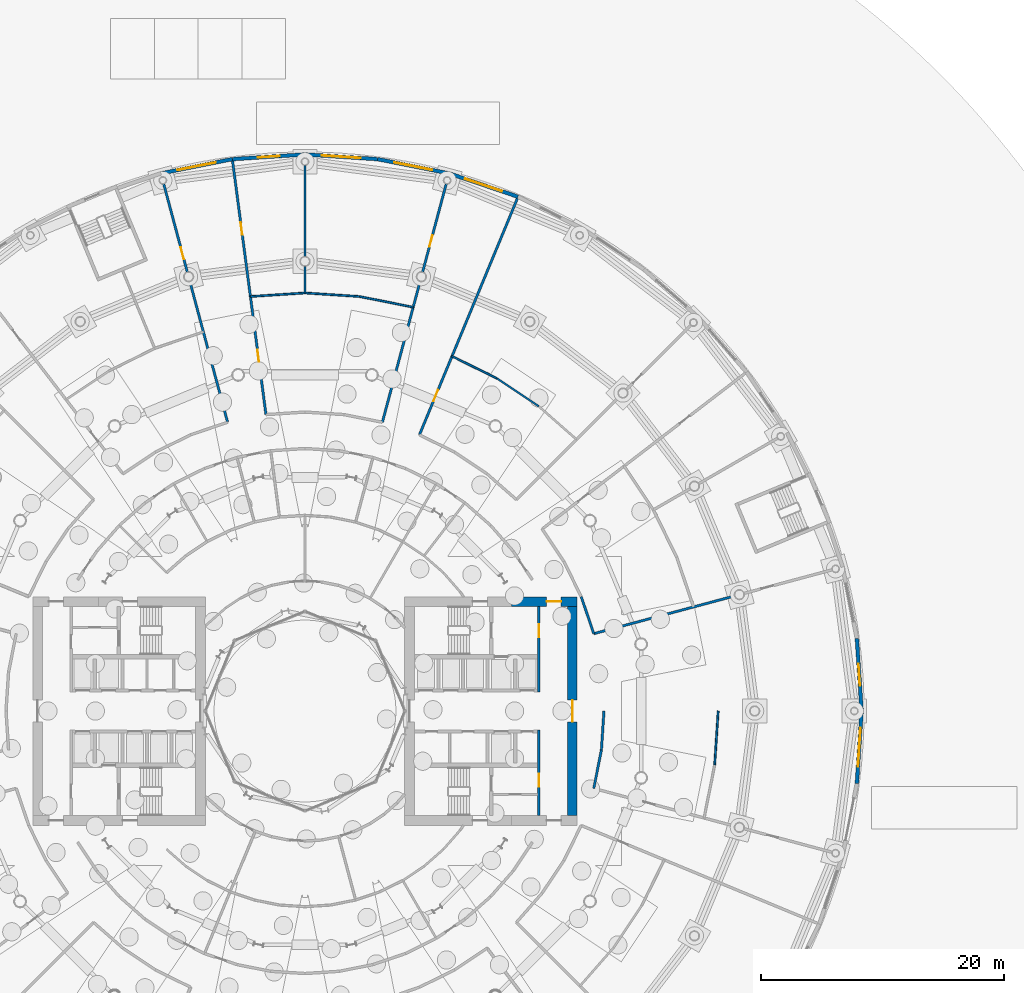
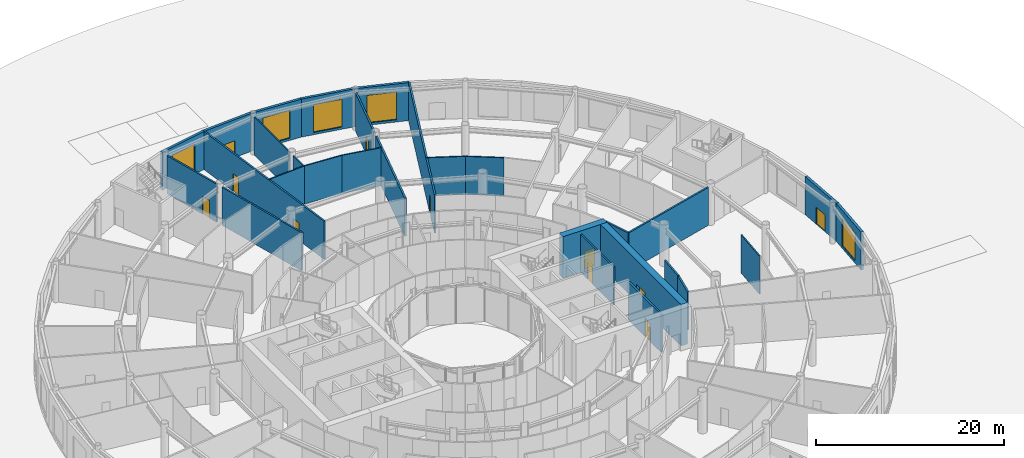
# One storey, part 26 of 41: 29 walls, 11 doors, 5 windows, 16 openings.
"""IFC4 building model written with IfcOpenShell, lengths in metres."""

import ifcopenshell
import ifcopenshell.guid

model = None  # the IFC model being written
_history = None  # IfcOwnerHistory: only IFC2X3 demands one
_inside = {}  # id of a spatial element -> (the spatial element, [elements in it])
_under = {}  # id of a project, library or spatial element -> (it, [spatial elements below it])
_declared = {}  # id of a project -> (the project, [libraries it declares])
_typed = {}  # id of a type object -> (the type object, [elements of that type])
_made_of = {}  # id of a material, layer set ... -> (it, [elements and type objects made of it])


def new_model(schema):
    """Start an empty IFC model of exactly this schema.

    Asked for "IFC4X3", IfcOpenShell would pick the latest addendum, in which some entities
    have other attributes; the version numbers below select the first issue.
    IFC2X3 requires an IfcOwnerHistory on every rooted entity: one is made here for all.
    """
    global model, _history
    if schema == "IFC4X3":
        model = ifcopenshell.file(schema_version=(4, 3, 0, 0))
    else:
        model = ifcopenshell.file(schema=schema)
    _inside.clear()
    _under.clear()
    _declared.clear()
    _typed.clear()
    _made_of.clear()
    _history = None
    if model.schema == "IFC2X3":
        org = make("IfcOrganization", Name="unknown")
        user = make(
            "IfcPersonAndOrganization",
            ThePerson=make("IfcPerson", FamilyName="unknown"),
            TheOrganization=org,
        )
        app = make(
            "IfcApplication",
            ApplicationDeveloper=org,
            Version="unknown",
            ApplicationFullName="unknown",
            ApplicationIdentifier="unknown",
        )
        _history = make(
            "IfcOwnerHistory",
            OwningUser=user,
            OwningApplication=app,
            ChangeAction="ADDED",
            CreationDate=0,
        )
    return model


def make(cls, **values):
    """One entity of the class cls with the attributes given. An attribute that is None is left unset."""
    return model.create_entity(
        cls, **{name: value for name, value in values.items() if value is not None}
    )


def rooted(cls, **values):
    """An entity with a GlobalId (a new one), such as an element, a storey or a relation."""
    return make(cls, GlobalId=ifcopenshell.guid.new(), OwnerHistory=_history, **values)


def si_unit(unit_type, name, prefix=None):
    """IfcSIUnit, for example si_unit("LENGTHUNIT", "METRE", prefix="MILLI")."""
    return make("IfcSIUnit", UnitType=unit_type, Prefix=prefix, Name=name)


def assignment(units):
    """IfcUnitAssignment: the units of a project."""
    return None if units is None else make("IfcUnitAssignment", Units=units)


def point(xyz):
    """IfcCartesianPoint."""
    return None if xyz is None else make("IfcCartesianPoint", Coordinates=xyz)


def direction(xyz):
    """IfcDirection."""
    return None if xyz is None else make("IfcDirection", DirectionRatios=xyz)


def frame(location, z_axis=None, x_axis=None):
    """IfcAxis2Placement3D, a coordinate frame: its origin and axes. An axis left out is left unset."""
    return make(
        "IfcAxis2Placement3D",
        Location=point(location),
        Axis=direction(z_axis),
        RefDirection=direction(x_axis),
    )


def frame_2d(location, x_axis=None):
    """IfcAxis2Placement2D, a coordinate frame in the plane: its origin and x axis."""
    return make(
        "IfcAxis2Placement2D", Location=point(location), RefDirection=direction(x_axis)
    )


def origin():
    """The frame at (0, 0, 0) with its axes left unset."""
    return frame((0.0, 0.0, 0.0))


def place(relative_to, where):
    """IfcLocalPlacement: puts the frame where relative to a parent placement (None: the world)."""
    return make(
        "IfcLocalPlacement", PlacementRelTo=relative_to, RelativePlacement=where
    )


def context(
    kind, dimensions, precision=None, world=None, true_north=None, identifier=None
):
    """IfcGeometricRepresentationContext, for example the 3D "Model" context."""
    return make(
        "IfcGeometricRepresentationContext",
        ContextIdentifier=identifier,
        ContextType=kind,
        CoordinateSpaceDimension=dimensions,
        Precision=precision,
        WorldCoordinateSystem=world,
        TrueNorth=true_north,
    )


def subcontext(parent, identifier, kind, view, scale=None):
    """IfcGeometricRepresentationSubContext, for example "Body" below "Model"."""
    return make(
        "IfcGeometricRepresentationSubContext",
        ContextIdentifier=identifier,
        ContextType=kind,
        ParentContext=parent,
        TargetScale=scale,
        TargetView=view,
    )


def project(units=None, contexts=None):
    """IfcProject with its units and contexts."""
    return rooted(
        "IfcProject",
        Name="project",
        RepresentationContexts=contexts,
        UnitsInContext=assignment(units),
    )


def spatial(cls, under=None, at=None, **own):
    """A site, building, storey or space (cls), placed at a placement, below another one or the project."""
    s = rooted(cls, ObjectPlacement=at, **own)
    if under is not None:
        _under.setdefault(under.id(), (under, []))[1].append(s)
    return s


def profile(cls, at=None, kind="AREA", **sizes):
    """A parametric profile (cls). Its sizes go by their IFC names, for example OverallWidth=200.0."""
    return make(cls, ProfileType=kind, Position=at, **sizes)


def rectangle(**sizes):
    """IfcRectangleProfileDef."""
    return profile("IfcRectangleProfileDef", **sizes)


def extrude(swept, where, along, depth):
    """IfcExtrudedAreaSolid: the profile swept, set in the frame where, extruded along a direction by depth."""
    return make(
        "IfcExtrudedAreaSolid",
        SweptArea=swept,
        Position=where,
        ExtrudedDirection=direction(along),
        Depth=depth,
    )


def shape(context_of_items, identifier, shape_type, items):
    """IfcShapeRepresentation: the items that make up one representation, for example the "Body"."""
    return make(
        "IfcShapeRepresentation",
        ContextOfItems=context_of_items,
        RepresentationIdentifier=identifier,
        RepresentationType=shape_type,
        Items=items,
    )


def material(Name=None, Category=None):
    """IfcMaterial."""
    return make("IfcMaterial", Name=Name, Category=Category)


def layer(
    of_material, thickness, ventilated=None, Name=None, Category=None, Priority=None
):
    """IfcMaterialLayer: one layer of a wall or slab, of a material (None: an air gap)."""
    return make(
        "IfcMaterialLayer",
        Material=of_material,
        LayerThickness=thickness,
        IsVentilated=ventilated,
        Name=Name,
        Category=Category,
        Priority=Priority,
    )


def layer_set(layers, Name=None):
    """IfcMaterialLayerSet."""
    return make("IfcMaterialLayerSet", MaterialLayers=layers, LayerSetName=Name)


def made_of(thing, what):
    """Note that an element or type object is made of a material, layer set ...; save() writes the relation."""
    if what is not None:
        _made_of.setdefault(what.id(), (what, []))[1].append(thing)
    return thing


def type_object(cls, material=None, **own):
    """A type object (cls), such as IfcWallType, which elements share."""
    return made_of(rooted(cls, **own), material)


def element(
    cls,
    number,
    at=None,
    inside=None,
    cuts=None,
    type_object=None,
    material=None,
    context=None,
    identifier="Body",
    shape_type=None,
    held_by="IfcProductDefinitionShape",
    body=None,
    shapes=None,
    **own,
):
    """One element of the class cls, such as IfcWall. Its Tag is "e" and its number.

    at: its placement. inside: the storey or other place that contains it. cuts: it is an
    opening in that element (IfcRelVoidsElement). A single representation is given by context,
    identifier, shape_type and body (its items); several are given by shapes. held_by: the class
    of the entity that holds the representations. save() writes the other relations.
    """
    e = rooted(cls, Tag="e%d" % number, ObjectPlacement=at, **own)
    if body is not None:
        shapes = [shape(context, identifier, shape_type, body)]
    if shapes is not None:
        e.Representation = make(held_by, Representations=shapes)
    if inside is not None:
        _inside.setdefault(inside.id(), (inside, []))[1].append(e)
    if cuts is not None:
        rooted(
            "IfcRelVoidsElement", RelatingBuildingElement=cuts, RelatedOpeningElement=e
        )
    if type_object is not None:
        _typed.setdefault(type_object.id(), (type_object, []))[1].append(e)
    return made_of(e, material)


def fill(opening, filler):
    """IfcRelFillsElement: the door or window that sits in an opening."""
    return rooted(
        "IfcRelFillsElement",
        RelatingOpeningElement=opening,
        RelatedBuildingElement=filler,
    )


def aggregate(whole, parts):
    """IfcRelAggregates: a whole, such as a stair, and the parts it consists of."""
    return rooted("IfcRelAggregates", RelatingObject=whole, RelatedObjects=parts)


def save(model, path):
    """Write the relations noted so far, then the file.

    IfcRelAggregates (storeys below a building ...), IfcRelContainedInSpatialStructure (elements
    in a storey), IfcRelDefinesByType, IfcRelAssociatesMaterial and IfcRelDeclares: one each for
    every whole, place, type object, material and project.
    """
    for whole, parts in _under.values():
        aggregate(whole, parts)
    for where, things in _inside.values():
        rooted(
            "IfcRelContainedInSpatialStructure",
            RelatedElements=things,
            RelatingStructure=where,
        )
    for kind, things in _typed.values():
        rooted("IfcRelDefinesByType", RelatedObjects=things, RelatingType=kind)
    for what, things in _made_of.values():
        rooted("IfcRelAssociatesMaterial", RelatedObjects=things, RelatingMaterial=what)
    for by, libraries in _declared.values():
        rooted("IfcRelDeclares", RelatingContext=by, RelatedDefinitions=libraries)
    model.write(path)


model = new_model("IFC4")

# Units and contexts
model_context = context("Model", 3, precision=1e-05, world=origin(), true_north=direction((0.0, 1.0)))
body_context = subcontext(model_context, "Body", "Model", "MODEL_VIEW")
ifc_project = project(units=[si_unit("LENGTHUNIT", "METRE"), si_unit("AREAUNIT", "SQUARE_METRE"), si_unit("VOLUMEUNIT", "CUBIC_METRE"), si_unit("PLANEANGLEUNIT", "RADIAN"), si_unit("MASSUNIT", "GRAM", prefix="KILO")], contexts=[model_context])

# Site, building, storey
site_placement = place(None, origin())
site = spatial("IfcSite", under=ifc_project, at=site_placement, CompositionType="ELEMENT")
building_placement = place(site_placement, origin())
building = spatial("IfcBuilding", under=site, at=building_placement, Name="Maasbend Ring Residences", CompositionType="ELEMENT")
storey_placement = place(building_placement, origin())
storey = spatial("IfcBuildingStorey", under=building, at=storey_placement, Name="L00", CompositionType="ELEMENT", Elevation=0.0)

# Walls
ifc_material_1 = material(Name="Concrete C30/37", Category="concrete")
ifc_layer_1 = layer(ifc_material_1, 0.199951171875)
ifc_layer_set_1 = layer_set([ifc_layer_1], Name="Concrete C30/37")
wall_type_1 = type_object("IfcWallType", Name="COMPARTMENT WALL 200 CONCRETE", PredefinedType="PARTITIONING", material=ifc_layer_set_1)
wall_1_placement = place(storey_placement, frame((23.762939453125, 6.364990234375, 0.0), z_axis=(0.0, 0.0, 1.0), x_axis=(0.965943238878, 0.258754051689, 0.0)))
element("IfcWall", 1, at=wall_1_placement, inside=storey, type_object=wall_type_1, Name="U-L00-w127", PredefinedType="PARTITIONING", context=body_context, shape_type="SweptSolid", body=[
    extrude(rectangle(XDim=11.999755859375, YDim=0.199951171875, at=frame_2d((6.0, 0.0))), origin(), (0.0, 0.0, 1.0), 4.949951171875),
])
wall_2_placement = place(storey_placement, frame((22.72705078125, 9.4140625, 0.0), z_axis=(0.0, 0.0, 1.0), x_axis=(0.321593976879, -0.946877665823, 0.0)))
element("IfcWall", 2, at=wall_2_placement, inside=storey, type_object=wall_type_1, Name="U-L00-w194", PredefinedType="PARTITIONING", context=body_context, shape_type="SweptSolid", body=[
    extrude(rectangle(XDim=3.218017578125, YDim=0.199951171875, at=frame_2d((1.60888671875, 0.0))), origin(), (0.0, 0.0, 1.0), 4.949951171875),
])

# Wall, opening, door
ifc_material_2 = material(Name="Concrete C70/85", Category="concrete")
ifc_layer_2 = layer(ifc_material_2, 0.800048828125)
ifc_layer_set_2 = layer_set([ifc_layer_2], Name="Concrete C70/85")
wall_type_2 = type_object("IfcWallType", Name="CORE WALL 800 C70/85", PredefinedType="SHEAR", material=ifc_layer_set_2)
wall_3_placement = place(storey_placement, frame((22.0, 8.60009765625, 0.0), z_axis=(0.0, 0.0, 1.0), x_axis=(0.0, -1.0, 0.0)))
wall_3 = element("IfcWall", 3, at=wall_3_placement, inside=storey, type_object=wall_type_2, Name="L00 core E wall POUT", PredefinedType="SHEAR", context=body_context, shape_type="SweptSolid", body=[
    extrude(rectangle(XDim=17.2001953125, YDim=0.800048828125, at=frame_2d((8.60009765625, 0.0))), origin(), (0.0, 0.0, 1.0), 5.39990234375),
])
opening_1_placement = place(wall_3_placement, frame((7.699951171875, 0.0, 0.0)))
opening_1 = element("IfcOpeningElement", 4, at=opening_1_placement, cuts=wall_3, Name="Opening D-E0018", PredefinedType="OPENING", context=body_context, shape_type="SweptSolid", body=[
    extrude(rectangle(XDim=1.800048828125, YDim=2.300048828125, at=frame_2d((0.89990234375, 1.14990234375))), frame((0.0, 0.41015625, 0.0), z_axis=(0.0, -1.0, 0.0), x_axis=(1.0, 0.0, 0.0)), (0.0, 0.0, 1.0), 0.820068359375),
])
ifc_material_3 = material(Name="Aluminium frame, clear glass", Category="aluminium")
door_type_1 = type_object("IfcDoorType", Name="ENTRANCE DOOR 1800 X 2300 FD60", OperationType="NOTDEFINED", PredefinedType="DOOR", material=ifc_material_3)
door_1_placement = place(opening_1_placement, origin())
door_1 = element("IfcDoor", 5, at=door_1_placement, inside=storey, type_object=door_type_1, Name="Lobby glazed door L00", OperationType="SINGLE_SWING_LEFT", OverallHeight=2.300048828125, OverallWidth=1.800048828125, PredefinedType="DOOR", context=body_context, shape_type="SweptSolid", body=[
    extrude(rectangle(XDim=1.800048828125, YDim=2.300048828125, at=frame_2d((0.89990234375, 1.14990234375))), frame((0.0, 0.02490234375, 0.0), z_axis=(0.0, -1.0, 0.0), x_axis=(1.0, 0.0, 0.0)), (0.0, 0.0, 1.0), 0.050048828125),
])
fill(opening_1, door_1)

wall_4_placement = place(storey_placement, frame((22.39990234375, 9.0, 0.0), z_axis=(0.0, 0.0, 1.0), x_axis=(-1.0, 0.0, 0.0)))
wall_4 = element("IfcWall", 6, at=wall_4_placement, inside=storey, type_object=wall_type_2, Name="L00 core E wall PNB", PredefinedType="SHEAR", context=body_context, shape_type="SweptSolid", body=[
    extrude(rectangle(XDim=5.39990234375, YDim=0.800048828125, at=frame_2d((2.699951171875, 0.0))), origin(), (0.0, 0.0, 1.0), 5.39990234375),
])
opening_2_placement = place(wall_4_placement, frame((1.324951171875, 0.0, 0.0)))
opening_2 = element("IfcOpeningElement", 7, at=opening_2_placement, cuts=wall_4, Name="Opening D-E0015", PredefinedType="OPENING", context=body_context, shape_type="SweptSolid", body=[
    extrude(rectangle(XDim=1.199951171875, YDim=2.300048828125, at=frame_2d((0.60009765625, 1.14990234375))), frame((0.0, 0.41015625, 0.0), z_axis=(0.0, -1.0, 0.0), x_axis=(1.0, 0.0, 0.0)), (0.0, 0.0, 1.0), 0.820068359375),
])
ifc_material_4 = material(Name="Steel, powder coated", Category="steel")
door_type_2 = type_object("IfcDoorType", Name="CORRIDOR DOOR 1200 X 2300 FD30S", OperationType="NOTDEFINED", PredefinedType="DOOR", material=ifc_material_4)
door_2_placement = place(opening_2_placement, origin())
door_2 = element("IfcDoor", 8, at=door_2_placement, inside=storey, type_object=door_type_2, Name="Corridor door L00", OperationType="SINGLE_SWING_RIGHT", OverallHeight=2.300048828125, OverallWidth=1.199951171875, PredefinedType="DOOR", context=body_context, shape_type="SweptSolid", body=[
    extrude(rectangle(XDim=1.199951171875, YDim=2.300048828125, at=frame_2d((0.60009765625, 1.14990234375))), frame((0.0, 0.02490234375, 0.0), z_axis=(0.0, -1.0, 0.0), x_axis=(1.0, 0.0, 0.0)), (0.0, 0.0, 1.0), 0.050048828125),
])
fill(opening_2, door_2)

# Walls
ifc_material_5 = material(Name="Concrete C30/37", Category="concrete")
ifc_layer_3 = layer(ifc_material_5, 0.199951171875)
ifc_layer_set_3 = layer_set([ifc_layer_3], Name="Concrete C30/37")
wall_type_3 = type_object("IfcWallType", Name="CORRIDOR WALL 200 CONCRETE", PredefinedType="PARTITIONING", material=ifc_layer_set_3)
for number, where, z_axis, x_axis, name in (
    (9, (23.761962890625, -6.366943359375, 0.0), (0.0, 0.0, 1.0), (0.195138477717, 0.98077570041, 0.0), "U-L00-w035"),
    (10, (24.389892578125, -3.2109375, 0.0), (0.0, 0.0, 1.0), (0.06532549509, 0.997864008616, 0.0), "U-L00-w036"),
):
    element("IfcWall", number, at=place(storey_placement, frame(where, z_axis=z_axis, x_axis=x_axis)), inside=storey, type_object=wall_type_3, Name=name, PredefinedType="PARTITIONING", context=body_context, shape_type="SweptSolid", body=[
        extrude(rectangle(XDim=3.2177734375, YDim=0.199951171875, at=frame_2d((1.60888671875, 0.0))), origin(), (0.0, 0.0, 1.0), 4.949951171875),
    ])

# Wall, opening, door
wall_5_placement = place(storey_placement, frame((-11.6240234375, 43.3701171875, 0.0), z_axis=(0.0, 0.0, 1.0), x_axis=(0.258768624905, -0.96593933493, 0.0)))
wall_5 = element("IfcWall", 11, at=wall_5_placement, inside=storey, type_object=wall_type_3, Name="U-L00-w098", PredefinedType="PARTITIONING", context=body_context, shape_type="SweptSolid", body=[
    extrude(rectangle(XDim=7.50048828125, YDim=0.199951171875, at=frame_2d((3.750244140625, 0.0))), origin(), (0.0, 0.0, 1.0), 4.949951171875),
])
opening_3_placement = place(wall_5_placement, frame((5.406982421875, 0.0, 0.0)))
opening_3 = element("IfcOpeningElement", 12, at=opening_3_placement, cuts=wall_5, Name="Opening D-0027", PredefinedType="OPENING", context=body_context, shape_type="SweptSolid", body=[
    extrude(rectangle(XDim=1.0, YDim=2.300048828125, at=frame_2d((0.5, 1.14990234375))), frame((0.0, 0.10986328125, 0.0), z_axis=(0.0, -1.0, 0.0), x_axis=(1.0, 0.0, 0.0)), (0.0, 0.0, 1.0), 0.219970703125),
])
ifc_material_6 = material(Name="Timber, painted", Category="wood")
door_type_3 = type_object("IfcDoorType", Name="ROOM DOOR 1000 X 2300", OperationType="NOTDEFINED", PredefinedType="DOOR", material=ifc_material_6)
door_3_placement = place(opening_3_placement, origin())
door_3 = element("IfcDoor", 13, at=door_3_placement, inside=storey, type_object=door_type_3, Name="D-0027", OperationType="SINGLE_SWING_RIGHT", OverallHeight=2.300048828125, OverallWidth=1.0, PredefinedType="DOOR", context=body_context, shape_type="SweptSolid", body=[
    extrude(rectangle(XDim=1.0, YDim=2.300048828125, at=frame_2d((0.5, 1.14990234375))), frame((0.0, 0.02490234375, 0.0), z_axis=(0.0, -1.0, 0.0), x_axis=(1.0, 0.0, 0.0)), (0.0, 0.0, 1.0), 0.050048828125),
])
fill(opening_3, door_3)

# Wall
wall_6_placement = place(storey_placement, frame((-9.47607421875, 35.35302734375, 0.0), z_axis=(0.0, 0.0, 1.0), x_axis=(0.258904538468, -0.965902914356, 0.0)))
element("IfcWall", 14, at=wall_6_placement, inside=storey, type_object=wall_type_3, Name="U-L00-w101", PredefinedType="PARTITIONING", context=body_context, shape_type="SweptSolid", body=[
    extrude(rectangle(XDim=12.001220703125, YDim=0.199951171875, at=frame_2d((6.00048828125, 0.0))), origin(), (0.0, 0.0, 1.0), 4.949951171875),
])

# Wall, openings, doors
wall_7_placement = place(storey_placement, frame((-5.962890625, 45.297119140625, 0.0), z_axis=(0.0, 0.0, 1.0), x_axis=(0.130501232125, -0.991448147113, 0.0)))
wall_7 = element("IfcWall", 15, at=wall_7_placement, inside=storey, type_object=wall_type_3, Name="U-L00-w104", PredefinedType="PARTITIONING", context=body_context, shape_type="SweptSolid", body=[
    extrude(rectangle(XDim=21.087646484375, YDim=0.199951171875, at=frame_2d((10.5439453125, 0.0))), origin(), (0.0, 0.0, 1.0), 4.949951171875),
])
opening_4_placement = place(wall_7_placement, frame((15.68701171875, 0.0, 0.0)))
opening_4 = element("IfcOpeningElement", 16, at=opening_4_placement, cuts=wall_7, Name="Opening D-0023", PredefinedType="OPENING", context=body_context, shape_type="SweptSolid", body=[
    extrude(rectangle(XDim=1.0, YDim=2.300048828125, at=frame_2d((0.5, 1.14990234375))), frame((0.0, 0.10986328125, 0.0), z_axis=(0.0, -1.0, 0.0), x_axis=(1.0, 0.0, 0.0)), (0.0, 0.0, 1.0), 0.219970703125),
])
opening_5_placement = place(wall_7_placement, frame((5.14404296875, 0.0, 0.0)))
opening_5 = element("IfcOpeningElement", 17, at=opening_5_placement, cuts=wall_7, Name="Opening D-0025", PredefinedType="OPENING", context=body_context, shape_type="SweptSolid", body=[
    extrude(rectangle(XDim=1.0, YDim=2.300048828125, at=frame_2d((0.5, 1.14990234375))), frame((0.0, 0.10986328125, 0.0), z_axis=(0.0, -1.0, 0.0), x_axis=(1.0, 0.0, 0.0)), (0.0, 0.0, 1.0), 0.219970703125),
])
door_4_placement = place(opening_4_placement, origin())
door_4 = element("IfcDoor", 18, at=door_4_placement, inside=storey, type_object=door_type_3, Name="D-0023", OperationType="SINGLE_SWING_RIGHT", OverallHeight=2.300048828125, OverallWidth=1.0, PredefinedType="DOOR", context=body_context, shape_type="SweptSolid", body=[
    extrude(rectangle(XDim=1.0, YDim=2.300048828125, at=frame_2d((0.5, 1.14990234375))), frame((0.0, 0.02490234375, 0.0), z_axis=(0.0, -1.0, 0.0), x_axis=(1.0, 0.0, 0.0)), (0.0, 0.0, 1.0), 0.050048828125),
])
fill(opening_4, door_4)
door_5_placement = place(opening_5_placement, origin())
door_5 = element("IfcDoor", 19, at=door_5_placement, inside=storey, type_object=door_type_3, Name="D-0025", OperationType="SINGLE_SWING_LEFT", OverallHeight=2.300048828125, OverallWidth=1.0, PredefinedType="DOOR", context=body_context, shape_type="SweptSolid", body=[
    extrude(rectangle(XDim=1.0, YDim=2.300048828125, at=frame_2d((0.5, 1.14990234375))), frame((0.0, 0.02490234375, 0.0), z_axis=(0.0, -1.0, 0.0), x_axis=(1.0, 0.0, 0.0)), (0.0, 0.0, 1.0), 0.050048828125),
])
fill(opening_5, door_5)

# Wall
wall_8_placement = place(storey_placement, frame((6.366943359375, 23.761962890625, 0.0), z_axis=(0.0, 0.0, 1.0), x_axis=(0.258829982463, 0.965922895566, 0.0)))
element("IfcWall", 20, at=wall_8_placement, inside=storey, type_object=wall_type_3, Name="U-L00-w115", PredefinedType="PARTITIONING", context=body_context, shape_type="SweptSolid", body=[
    extrude(rectangle(XDim=12.0, YDim=0.199951171875, at=frame_2d((6.0, 0.0))), origin(), (0.0, 0.0, 1.0), 4.949951171875),
])

# Wall, opening, door
wall_9_placement = place(storey_placement, frame((9.41796875, 22.72607421875, 0.0), z_axis=(0.0, 0.0, 1.0), x_axis=(0.382752037664, 0.923851112282, 0.0)))
wall_9 = element("IfcWall", 21, at=wall_9_placement, inside=storey, type_object=wall_type_3, Name="U-L00-w117", PredefinedType="PARTITIONING", context=body_context, shape_type="SweptSolid", body=[
    extrude(rectangle(XDim=21.099609375, YDim=0.199951171875, at=frame_2d((10.5498046875, 0.0))), origin(), (0.0, 0.0, 1.0), 4.949951171875),
])
opening_6_placement = place(wall_9_placement, frame((3.0, 0.0, 0.0)))
opening_6 = element("IfcOpeningElement", 22, at=opening_6_placement, cuts=wall_9, Name="Opening D-0021", PredefinedType="OPENING", context=body_context, shape_type="SweptSolid", body=[
    extrude(rectangle(XDim=1.0, YDim=2.300048828125, at=frame_2d((0.5, 1.14990234375))), frame((0.0, 0.10986328125, 0.0), z_axis=(0.0, -1.0, 0.0), x_axis=(1.0, 0.0, 0.0)), (0.0, 0.0, 1.0), 0.219970703125),
])
door_6_placement = place(opening_6_placement, origin())
door_6 = element("IfcDoor", 23, at=door_6_placement, inside=storey, type_object=door_type_3, Name="D-0021", OperationType="SINGLE_SWING_LEFT", OverallHeight=2.300048828125, OverallWidth=1.0, PredefinedType="DOOR", context=body_context, shape_type="SweptSolid", body=[
    extrude(rectangle(XDim=1.0, YDim=2.300048828125, at=frame_2d((0.5, 1.14990234375))), frame((0.0, 0.02490234375, 0.0), z_axis=(0.0, -1.0, 0.0), x_axis=(1.0, 0.0, 0.0)), (0.0, 0.0, 1.0), 0.050048828125),
])
fill(opening_6, door_6)

wall_10_placement = place(storey_placement, frame((9.679931640625, 36.125, 0.0), z_axis=(0.0, 0.0, 1.0), x_axis=(0.25879899448, 0.965931198614, 0.0)))
wall_10 = element("IfcWall", 24, at=wall_10_placement, inside=storey, type_object=wall_type_3, Name="U-L00-w119", PredefinedType="PARTITIONING", context=body_context, shape_type="SweptSolid", body=[
    extrude(rectangle(XDim=7.500732421875, YDim=0.199951171875, at=frame_2d((3.75048828125, 0.0))), origin(), (0.0, 0.0, 1.0), 4.949951171875),
])
opening_7_placement = place(wall_10_placement, frame((2.14404296875, 0.0, 0.0)))
opening_7 = element("IfcOpeningElement", 25, at=opening_7_placement, cuts=wall_10, Name="Opening D-0024", PredefinedType="OPENING", context=body_context, shape_type="SweptSolid", body=[
    extrude(rectangle(XDim=1.0, YDim=2.300048828125, at=frame_2d((0.5, 1.14990234375))), frame((0.0, 0.10986328125, 0.0), z_axis=(0.0, -1.0, 0.0), x_axis=(1.0, 0.0, 0.0)), (0.0, 0.0, 1.0), 0.219970703125),
])
door_7_placement = place(opening_7_placement, origin())
door_7 = element("IfcDoor", 26, at=door_7_placement, inside=storey, type_object=door_type_3, Name="D-0024", OperationType="SINGLE_SWING_LEFT", OverallHeight=2.300048828125, OverallWidth=1.0, PredefinedType="DOOR", context=body_context, shape_type="SweptSolid", body=[
    extrude(rectangle(XDim=1.0, YDim=2.300048828125, at=frame_2d((0.5, 1.14990234375))), frame((0.0, 0.02490234375, 0.0), z_axis=(0.0, -1.0, 0.0), x_axis=(1.0, 0.0, 0.0)), (0.0, 0.0, 1.0), 0.050048828125),
])
fill(opening_7, door_7)

ifc_material_7 = material(Name="Pale anodised aluminium panel", Category="aluminium")
ifc_layer_4 = layer(ifc_material_7, 0.300048828125)
ifc_layer_set_4 = layer_set([ifc_layer_4], Name="EW-BASE")
wall_type_4 = type_object("IfcWallType", Name="EW-BASE", PredefinedType="SOLIDWALL", material=ifc_layer_set_4)
wall_11_placement = place(storey_placement, frame((45.800048828125, 0.0, 0.0), z_axis=(0.0, 0.0, 1.0), x_axis=(-0.065447877106, 0.9978559893, 0.0)))
wall_11 = element("IfcWall", 27, at=wall_11_placement, inside=storey, type_object=wall_type_4, Name="Base block wall 01", PredefinedType="SOLIDWALL", context=body_context, shape_type="SweptSolid", body=[
    extrude(rectangle(XDim=5.990966796875, YDim=0.300048828125, at=frame_2d((2.99560546875, 0.0))), origin(), (0.0, 0.0, 1.0), 4.949951171875),
])
opening_8_placement = place(wall_11_placement, frame((2.095458984375, 0.0, 0.0)))
opening_8 = element("IfcOpeningElement", 28, at=opening_8_placement, cuts=wall_11, Name="Opening D-EX", PredefinedType="OPENING", context=body_context, shape_type="SweptSolid", body=[
    extrude(rectangle(XDim=1.800048828125, YDim=2.199951171875, at=frame_2d((0.89990234375, 1.10009765625))), frame((0.0, 0.16015625, 0.0), z_axis=(0.0, -1.0, 0.0), x_axis=(1.0, 0.0, 0.0)), (0.0, 0.0, 1.0), 0.320068359375),
])
ifc_material_8 = material(Name="Aluminium and clear glass", Category="aluminium")
door_type_4 = type_object("IfcDoorType", Name="D-EX", OperationType="DOUBLE_DOOR_SINGLE_SWING", PredefinedType="DOOR", material=ifc_material_8)
door_8_placement = place(opening_8_placement, origin())
door_8 = element("IfcDoor", 29, at=door_8_placement, inside=storey, type_object=door_type_4, Name="Exit door 01", OperationType="SINGLE_SWING_LEFT", OverallHeight=2.199951171875, OverallWidth=1.800048828125, PredefinedType="DOOR", context=body_context, shape_type="SweptSolid", body=[
    extrude(rectangle(XDim=1.800048828125, YDim=2.199951171875, at=frame_2d((0.89990234375, 1.10009765625))), frame((0.0, 0.02490234375, 0.0), z_axis=(0.0, -1.0, 0.0), x_axis=(1.0, 0.0, 0.0)), (0.0, 0.0, 1.0), 0.050048828125),
])
fill(opening_8, door_8)

# Wall, opening, window
wall_12_placement = place(storey_placement, frame((17.527099609375, 42.31396484375, 0.0), z_axis=(0.0, 0.0, 1.0), x_axis=(-0.946966078776, 0.321333542675, 0.0)))
wall_12 = element("IfcWall", 30, at=wall_12_placement, inside=storey, type_object=wall_type_4, Name="Base block wall 10", PredefinedType="SOLIDWALL", context=body_context, shape_type="SweptSolid", body=[
    extrude(rectangle(XDim=5.99072265625, YDim=0.300048828125, at=frame_2d((2.995361328125, 0.0))), origin(), (0.0, 0.0, 1.0), 4.949951171875),
])
opening_9_placement = place(wall_12_placement, frame((1.3955078125, 0.0, 0.300048828125)))
opening_9 = element("IfcOpeningElement", 31, at=opening_9_placement, cuts=wall_12, Name="Opening W-SF", PredefinedType="OPENING", context=body_context, shape_type="SweptSolid", body=[
    extrude(rectangle(XDim=3.199951171875, YDim=3.60009765625, at=frame_2d((1.60009765625, 1.800048828125))), frame((0.0, 0.16015625, 0.0), z_axis=(0.0, -1.0, 0.0), x_axis=(1.0, 0.0, 0.0)), (0.0, 0.0, 1.0), 0.320068359375),
])
ifc_material_9 = material(Name="Aluminium and clear glass", Category="aluminium")
window_type = type_object("IfcWindowType", Name="W-SF", PartitioningType="SINGLE_PANEL", PredefinedType="WINDOW", material=ifc_material_9)
window_1_placement = place(opening_9_placement, origin())
window_1 = element("IfcWindow", 32, at=window_1_placement, inside=storey, type_object=window_type, Name="Shopfront 10", OverallHeight=3.60009765625, OverallWidth=3.199951171875, PartitioningType="SINGLE_PANEL", PredefinedType="WINDOW", context=body_context, shape_type="SweptSolid", body=[
    extrude(rectangle(XDim=3.199951171875, YDim=3.60009765625, at=frame_2d((1.60009765625, 1.800048828125))), frame((0.0, 0.030029296875, 0.0), z_axis=(0.0, -1.0, 0.0), x_axis=(1.0, 0.0, 0.0)), (0.0, 0.0, 1.0), 0.06005859375),
])
fill(opening_9, window_1)

wall_13_placement = place(storey_placement, frame((11.85400390625, 44.239013671875, 0.0), z_axis=(0.0, 0.0, 1.0), x_axis=(-0.980780780021, 0.195112945602, 0.0)))
wall_13 = element("IfcWall", 33, at=wall_13_placement, inside=storey, type_object=wall_type_4, Name="Base block wall 11", PredefinedType="SOLIDWALL", context=body_context, shape_type="SweptSolid", body=[
    extrude(rectangle(XDim=5.9912109375, YDim=0.300048828125, at=frame_2d((2.99560546875, 0.0))), origin(), (0.0, 0.0, 1.0), 4.949951171875),
])
opening_10_placement = place(wall_13_placement, frame((1.3955078125, 0.0, 0.300048828125)))
opening_10 = element("IfcOpeningElement", 34, at=opening_10_placement, cuts=wall_13, Name="Opening W-SF", PredefinedType="OPENING", context=body_context, shape_type="SweptSolid", body=[
    extrude(rectangle(XDim=3.199951171875, YDim=3.60009765625, at=frame_2d((1.60009765625, 1.800048828125))), frame((0.0, 0.16015625, 0.0), z_axis=(0.0, -1.0, 0.0), x_axis=(1.0, 0.0, 0.0)), (0.0, 0.0, 1.0), 0.320068359375),
])
window_2_placement = place(opening_10_placement, origin())
window_2 = element("IfcWindow", 35, at=window_2_placement, inside=storey, type_object=window_type, Name="Shopfront 11", OverallHeight=3.60009765625, OverallWidth=3.199951171875, PartitioningType="SINGLE_PANEL", PredefinedType="WINDOW", context=body_context, shape_type="SweptSolid", body=[
    extrude(rectangle(XDim=3.199951171875, YDim=3.60009765625, at=frame_2d((1.60009765625, 1.800048828125))), frame((0.0, 0.030029296875, 0.0), z_axis=(0.0, -1.0, 0.0), x_axis=(1.0, 0.0, 0.0)), (0.0, 0.0, 1.0), 0.06005859375),
])
fill(opening_10, window_2)

wall_14_placement = place(storey_placement, frame((5.97802734375, 45.407958984375, 0.0), z_axis=(0.0, 0.0, 1.0), x_axis=(-0.9978559893, 0.065447877106, 0.0)))
wall_14 = element("IfcWall", 36, at=wall_14_placement, inside=storey, type_object=wall_type_4, Name="Base block wall 12", PredefinedType="SOLIDWALL", context=body_context, shape_type="SweptSolid", body=[
    extrude(rectangle(XDim=5.990966796875, YDim=0.300048828125, at=frame_2d((2.99560546875, 0.0))), origin(), (0.0, 0.0, 1.0), 4.949951171875),
])
opening_11_placement = place(wall_14_placement, frame((1.3955078125, 0.0, 0.300048828125)))
opening_11 = element("IfcOpeningElement", 37, at=opening_11_placement, cuts=wall_14, Name="Opening W-SF", PredefinedType="OPENING", context=body_context, shape_type="SweptSolid", body=[
    extrude(rectangle(XDim=3.199951171875, YDim=3.60009765625, at=frame_2d((1.60009765625, 1.800048828125))), frame((0.0, 0.16015625, 0.0), z_axis=(0.0, -1.0, 0.0), x_axis=(1.0, 0.0, 0.0)), (0.0, 0.0, 1.0), 0.320068359375),
])
window_3_placement = place(opening_11_placement, origin())
window_3 = element("IfcWindow", 38, at=window_3_placement, inside=storey, type_object=window_type, Name="Shopfront 12", OverallHeight=3.60009765625, OverallWidth=3.199951171875, PartitioningType="SINGLE_PANEL", PredefinedType="WINDOW", context=body_context, shape_type="SweptSolid", body=[
    extrude(rectangle(XDim=3.199951171875, YDim=3.60009765625, at=frame_2d((1.60009765625, 1.800048828125))), frame((0.0, 0.030029296875, 0.0), z_axis=(0.0, -1.0, 0.0), x_axis=(1.0, 0.0, 0.0)), (0.0, 0.0, 1.0), 0.06005859375),
])
fill(opening_11, window_3)

# Wall, opening, door
wall_15_placement = place(storey_placement, frame((0.0, 45.800048828125, 0.0), z_axis=(0.0, 0.0, 1.0), x_axis=(-0.9978559893, -0.065447877106, 0.0)))
wall_15 = element("IfcWall", 39, at=wall_15_placement, inside=storey, type_object=wall_type_4, Name="Base block wall 13", PredefinedType="SOLIDWALL", context=body_context, shape_type="SweptSolid", body=[
    extrude(rectangle(XDim=5.990966796875, YDim=0.300048828125, at=frame_2d((2.99560546875, 0.0))), origin(), (0.0, 0.0, 1.0), 4.949951171875),
])
opening_12_placement = place(wall_15_placement, frame((2.095458984375, 0.0, 0.0)))
opening_12 = element("IfcOpeningElement", 40, at=opening_12_placement, cuts=wall_15, Name="Opening D-EX", PredefinedType="OPENING", context=body_context, shape_type="SweptSolid", body=[
    extrude(rectangle(XDim=1.800048828125, YDim=2.199951171875, at=frame_2d((0.89990234375, 1.10009765625))), frame((0.0, 0.16015625, 0.0), z_axis=(0.0, -1.0, 0.0), x_axis=(1.0, 0.0, 0.0)), (0.0, 0.0, 1.0), 0.320068359375),
])
door_9_placement = place(opening_12_placement, origin())
door_9 = element("IfcDoor", 41, at=door_9_placement, inside=storey, type_object=door_type_4, Name="Exit door 13", OperationType="SINGLE_SWING_LEFT", OverallHeight=2.199951171875, OverallWidth=1.800048828125, PredefinedType="DOOR", context=body_context, shape_type="SweptSolid", body=[
    extrude(rectangle(XDim=1.800048828125, YDim=2.199951171875, at=frame_2d((0.89990234375, 1.10009765625))), frame((0.0, 0.02490234375, 0.0), z_axis=(0.0, -1.0, 0.0), x_axis=(1.0, 0.0, 0.0)), (0.0, 0.0, 1.0), 0.050048828125),
])
fill(opening_12, door_9)

# Wall, opening, window
wall_16_placement = place(storey_placement, frame((-5.97802734375, 45.407958984375, 0.0), z_axis=(0.0, 0.0, 1.0), x_axis=(-0.980780780021, -0.195112945602, 0.0)))
wall_16 = element("IfcWall", 42, at=wall_16_placement, inside=storey, type_object=wall_type_4, Name="Base block wall 14", PredefinedType="SOLIDWALL", context=body_context, shape_type="SweptSolid", body=[
    extrude(rectangle(XDim=5.9912109375, YDim=0.300048828125, at=frame_2d((2.99560546875, 0.0))), origin(), (0.0, 0.0, 1.0), 4.949951171875),
])
opening_13_placement = place(wall_16_placement, frame((1.3955078125, 0.0, 0.300048828125)))
opening_13 = element("IfcOpeningElement", 43, at=opening_13_placement, cuts=wall_16, Name="Opening W-SF", PredefinedType="OPENING", context=body_context, shape_type="SweptSolid", body=[
    extrude(rectangle(XDim=3.199951171875, YDim=3.60009765625, at=frame_2d((1.60009765625, 1.800048828125))), frame((0.0, 0.16015625, 0.0), z_axis=(0.0, -1.0, 0.0), x_axis=(1.0, 0.0, 0.0)), (0.0, 0.0, 1.0), 0.320068359375),
])
window_4_placement = place(opening_13_placement, origin())
window_4 = element("IfcWindow", 44, at=window_4_placement, inside=storey, type_object=window_type, Name="Shopfront 14", OverallHeight=3.60009765625, OverallWidth=3.199951171875, PartitioningType="SINGLE_PANEL", PredefinedType="WINDOW", context=body_context, shape_type="SweptSolid", body=[
    extrude(rectangle(XDim=3.199951171875, YDim=3.60009765625, at=frame_2d((1.60009765625, 1.800048828125))), frame((0.0, 0.030029296875, 0.0), z_axis=(0.0, -1.0, 0.0), x_axis=(1.0, 0.0, 0.0)), (0.0, 0.0, 1.0), 0.06005859375),
])
fill(opening_13, window_4)

wall_17_placement = place(storey_placement, frame((45.407958984375, -5.97802734375, 0.0), z_axis=(0.0, 0.0, 1.0), x_axis=(0.065447877106, 0.9978559893, 0.0)))
wall_17 = element("IfcWall", 45, at=wall_17_placement, inside=storey, type_object=wall_type_4, Name="Base block wall 48", PredefinedType="SOLIDWALL", context=body_context, shape_type="SweptSolid", body=[
    extrude(rectangle(XDim=5.990966796875, YDim=0.300048828125, at=frame_2d((2.99560546875, 0.0))), origin(), (0.0, 0.0, 1.0), 4.949951171875),
])
opening_14_placement = place(wall_17_placement, frame((1.3955078125, 0.0, 0.300048828125)))
opening_14 = element("IfcOpeningElement", 46, at=opening_14_placement, cuts=wall_17, Name="Opening W-SF", PredefinedType="OPENING", context=body_context, shape_type="SweptSolid", body=[
    extrude(rectangle(XDim=3.199951171875, YDim=3.60009765625, at=frame_2d((1.60009765625, 1.800048828125))), frame((0.0, 0.16015625, 0.0), z_axis=(0.0, -1.0, 0.0), x_axis=(1.0, 0.0, 0.0)), (0.0, 0.0, 1.0), 0.320068359375),
])
window_5_placement = place(opening_14_placement, origin())
window_5 = element("IfcWindow", 47, at=window_5_placement, inside=storey, type_object=window_type, Name="Shopfront 48", OverallHeight=3.60009765625, OverallWidth=3.199951171875, PartitioningType="SINGLE_PANEL", PredefinedType="WINDOW", context=body_context, shape_type="SweptSolid", body=[
    extrude(rectangle(XDim=3.199951171875, YDim=3.60009765625, at=frame_2d((1.60009765625, 1.800048828125))), frame((0.0, 0.030029296875, 0.0), z_axis=(0.0, -1.0, 0.0), x_axis=(1.0, 0.0, 0.0)), (0.0, 0.0, 1.0), 0.06005859375),
])
fill(opening_14, window_5)

# Walls
ifc_material_10 = material(Name="Gypsum board on steel studs", Category="steel")
ifc_layer_5 = layer(ifc_material_10, 0.14990234375)
ifc_layer_set_5 = layer_set([ifc_layer_5], Name="PARTITION 150 GYPSUM")
wall_type_5 = type_object("IfcWallType", Name="PARTITION 150 GYPSUM", PredefinedType="PARTITIONING", material=ifc_layer_set_5)
wall_18_placement = place(storey_placement, frame((33.708984375, -4.43798828125, 0.0), z_axis=(0.0, 0.0, 1.0), x_axis=(0.065433242561, 0.99785694905, 0.0)))
element("IfcWall", 48, at=wall_18_placement, inside=storey, type_object=wall_type_5, Name="U-L00-w008", PredefinedType="PARTITIONING", context=body_context, shape_type="SweptSolid", body=[
    extrude(rectangle(XDim=4.447509765625, YDim=0.14990234375, at=frame_2d((2.2236328125, 0.0))), origin(), (0.0, 0.0, 1.0), 4.949951171875),
])
wall_19_placement = place(storey_placement, frame((0.0, 34.39990234375, 0.0), z_axis=(0.0, 0.0, 1.0), x_axis=(0.0, 1.0, 0.0)))
element("IfcWall", 49, at=wall_19_placement, inside=storey, type_object=wall_type_5, Name="U-L00-w108", PredefinedType="PARTITIONING", context=body_context, shape_type="SweptSolid", body=[
    extrude(rectangle(XDim=2.193115234375, YDim=0.14990234375, at=frame_2d((1.0966796875, 0.0))), origin(), (0.0, 0.0, 1.0), 4.949951171875),
])
wall_20_placement = place(storey_placement, frame((0.0, 37.406982421875, 0.0), z_axis=(0.0, 0.0, 1.0), x_axis=(0.0, 1.0, 0.0)))
element("IfcWall", 50, at=wall_20_placement, inside=storey, type_object=wall_type_5, Name="U-L00-w109", PredefinedType="PARTITIONING", context=body_context, shape_type="SweptSolid", body=[
    extrude(rectangle(XDim=7.488037109375, YDim=0.14990234375, at=frame_2d((3.744140625, 0.0))), origin(), (0.0, 0.0, 1.0), 4.949951171875),
])
wall_21_placement = place(storey_placement, frame((12.093017578125, 29.195068359375, 0.0), z_axis=(0.0, 0.0, 1.0), x_axis=(0.896777137886, -0.44248250244, 0.0)))
element("IfcWall", 51, at=wall_21_placement, inside=storey, type_object=wall_type_5, Name="U-L00-w195", PredefinedType="PARTITIONING", context=body_context, shape_type="SweptSolid", body=[
    extrude(rectangle(XDim=4.1337890625, YDim=0.14990234375, at=frame_2d((2.06689453125, 0.0))), origin(), (0.0, 0.0, 1.0), 4.949951171875),
])
wall_22_placement = place(storey_placement, frame((15.800048828125, 27.365966796875, 0.0), z_axis=(0.0, 0.0, 1.0), x_axis=(0.831541061826, -0.555463286363, 0.0)))
element("IfcWall", 52, at=wall_22_placement, inside=storey, type_object=wall_type_5, Name="U-L00-w196", PredefinedType="PARTITIONING", context=body_context, shape_type="SweptSolid", body=[
    extrude(rectangle(XDim=4.13330078125, YDim=0.14990234375, at=frame_2d((2.066650390625, 0.0))), origin(), (0.0, 0.0, 1.0), 4.949951171875),
])
for number, where, z_axis, x_axis, name in (
    (53, (-4.489990234375, 34.10595703125, 0.0), (0.0, 0.0, 1.0), (0.997863912609, 0.0653269616, 0.0), "U-L00-w206"),
    (54, (0.0, 34.39990234375, 0.0), (0.0, 0.0, 1.0), (0.997863912609, -0.0653269616, 0.0), "U-L00-w207"),
    (55, (4.489990234375, 34.10595703125, 0.0), (0.0, 0.0, 1.0), (0.980780503919, -0.195114333486, 0.0), "U-L00-w208"),
):
    element("IfcWall", number, at=place(storey_placement, frame(where, z_axis=z_axis, x_axis=x_axis)), inside=storey, type_object=wall_type_5, Name=name, PredefinedType="PARTITIONING", context=body_context, shape_type="SweptSolid", body=[
        extrude(rectangle(XDim=4.49951171875, YDim=0.14990234375, at=frame_2d((2.249755859375, 0.0))), origin(), (0.0, 0.0, 1.0), 4.949951171875),
    ])

# Wall, opening, door
ifc_material_11 = material(Name="Concrete C30/37", Category="concrete")
ifc_layer_6 = layer(ifc_material_11, 0.199951171875)
ifc_layer_set_6 = layer_set([ifc_layer_6], Name="Concrete C30/37")
wall_type_6 = type_object("IfcWallType", Name="SHAFT WALL 200 EI 120", PredefinedType="SOLIDWALL", material=ifc_layer_set_6)
wall_23_placement = place(storey_placement, frame((19.25, 1.574951171875, 0.0), z_axis=(0.0, 0.0, 1.0), x_axis=(0.0, 1.0, 0.0)))
wall_23 = element("IfcWall", 56, at=wall_23_placement, inside=storey, type_object=wall_type_6, Name="L00 core E wall ENDN", PredefinedType="SOLIDWALL", context=body_context, shape_type="SweptSolid", body=[
    extrude(rectangle(XDim=7.025146484375, YDim=0.199951171875, at=frame_2d((3.5126953125, 0.0))), origin(), (0.0, 0.0, 1.0), 4.949951171875),
])
opening_15_placement = place(wall_23_placement, frame((4.47509765625, 0.0, 0.0)))
opening_15 = element("IfcOpeningElement", 57, at=opening_15_placement, cuts=wall_23, Name="Opening D-E0013", PredefinedType="OPENING", context=body_context, shape_type="SweptSolid", body=[
    extrude(rectangle(XDim=1.10009765625, YDim=2.300048828125, at=frame_2d((0.550048828125, 1.14990234375))), frame((0.0, 0.10986328125, 0.0), z_axis=(0.0, -1.0, 0.0), x_axis=(1.0, 0.0, 0.0)), (0.0, 0.0, 1.0), 0.219970703125),
])
ifc_material_12 = material(Name="Steel, powder coated", Category="steel")
door_type_5 = type_object("IfcDoorType", Name="LOBBY DOOR 1100 X 2300 FD60", OperationType="NOTDEFINED", PredefinedType="DOOR", material=ifc_material_12)
door_10_placement = place(opening_15_placement, origin())
door_10 = element("IfcDoor", 58, at=door_10_placement, inside=storey, type_object=door_type_5, Name="Lobby door L00", OperationType="SINGLE_SWING_LEFT", OverallHeight=2.300048828125, OverallWidth=1.10009765625, PredefinedType="DOOR", context=body_context, shape_type="SweptSolid", body=[
    extrude(rectangle(XDim=1.10009765625, YDim=2.300048828125, at=frame_2d((0.550048828125, 1.14990234375))), frame((0.0, 0.02490234375, 0.0), z_axis=(0.0, -1.0, 0.0), x_axis=(1.0, 0.0, 0.0)), (0.0, 0.0, 1.0), 0.050048828125),
])
fill(opening_15, door_10)

wall_24_placement = place(storey_placement, frame((19.25, -8.60009765625, 0.0), z_axis=(0.0, 0.0, 1.0), x_axis=(0.0, 1.0, 0.0)))
wall_24 = element("IfcWall", 59, at=wall_24_placement, inside=storey, type_object=wall_type_6, Name="L00 core E wall ENDS", PredefinedType="SOLIDWALL", context=body_context, shape_type="SweptSolid", body=[
    extrude(rectangle(XDim=7.025146484375, YDim=0.199951171875, at=frame_2d((3.5126953125, 0.0))), origin(), (0.0, 0.0, 1.0), 4.949951171875),
])
opening_16_placement = place(wall_24_placement, frame((2.35009765625, 0.0, 0.0)))
opening_16 = element("IfcOpeningElement", 60, at=opening_16_placement, cuts=wall_24, Name="Opening D-E0014", PredefinedType="OPENING", context=body_context, shape_type="SweptSolid", body=[
    extrude(rectangle(XDim=1.10009765625, YDim=2.300048828125, at=frame_2d((0.550048828125, 1.14990234375))), frame((0.0, 0.10986328125, 0.0), z_axis=(0.0, -1.0, 0.0), x_axis=(1.0, 0.0, 0.0)), (0.0, 0.0, 1.0), 0.219970703125),
])
door_11_placement = place(opening_16_placement, origin())
door_11 = element("IfcDoor", 61, at=door_11_placement, inside=storey, type_object=door_type_5, Name="Lobby door L00", OperationType="SINGLE_SWING_RIGHT", OverallHeight=2.300048828125, OverallWidth=1.10009765625, PredefinedType="DOOR", context=body_context, shape_type="SweptSolid", body=[
    extrude(rectangle(XDim=1.10009765625, YDim=2.300048828125, at=frame_2d((0.550048828125, 1.14990234375))), frame((0.0, 0.02490234375, 0.0), z_axis=(0.0, -1.0, 0.0), x_axis=(1.0, 0.0, 0.0)), (0.0, 0.0, 1.0), 0.050048828125),
])
fill(opening_16, door_11)

save(model, "model.ifc")
